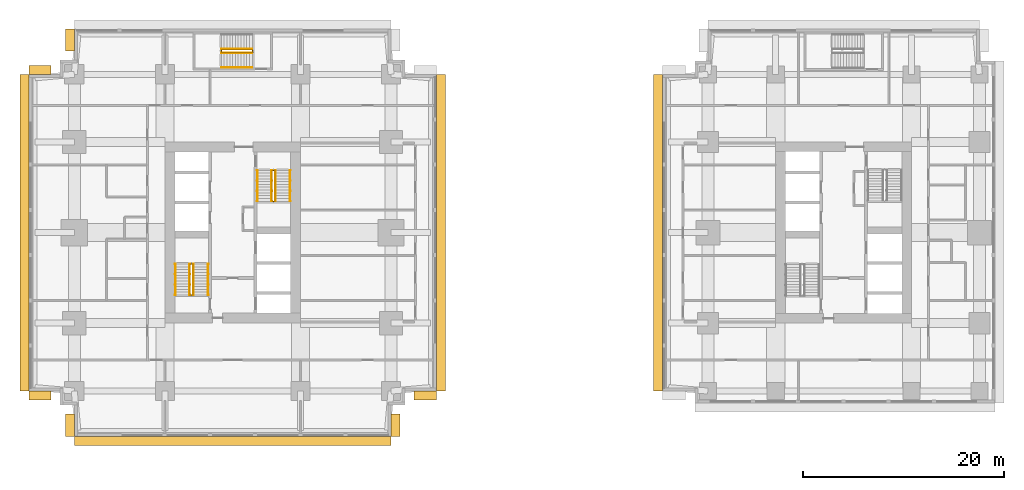
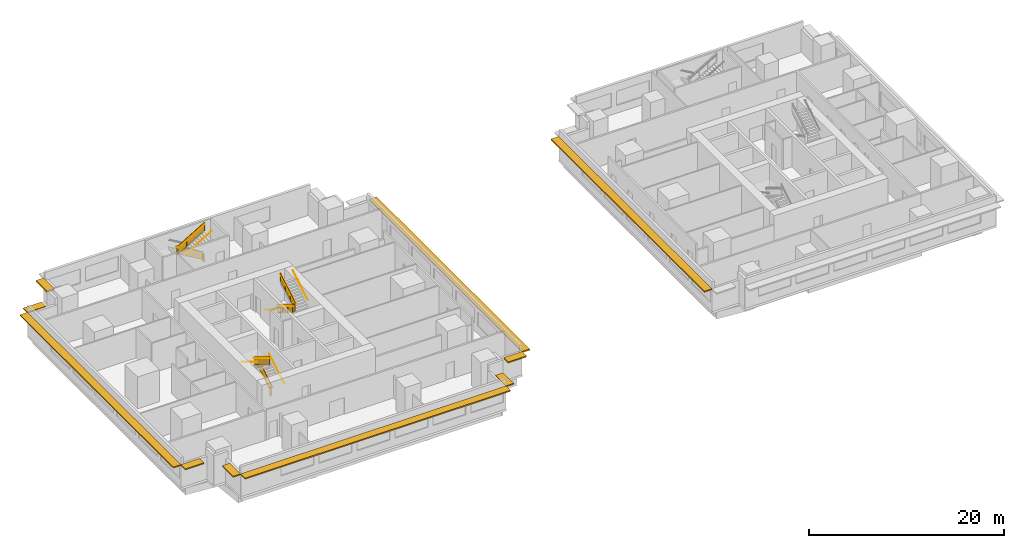
# One storey, part 9 of 11: 14 railings, 10 shading devices.
"""IFC4 building model written with IfcOpenShell, lengths in metres."""

import ifcopenshell
import ifcopenshell.guid

model = None  # the IFC model being written
_history = None  # IfcOwnerHistory: only IFC2X3 demands one
_inside = {}  # id of a spatial element -> (the spatial element, [elements in it])
_under = {}  # id of a project, library or spatial element -> (it, [spatial elements below it])
_declared = {}  # id of a project -> (the project, [libraries it declares])
_typed = {}  # id of a type object -> (the type object, [elements of that type])
_made_of = {}  # id of a material, layer set ... -> (it, [elements and type objects made of it])


def new_model(schema):
    """Start an empty IFC model of exactly this schema.

    Asked for "IFC4X3", IfcOpenShell would pick the latest addendum, in which some entities
    have other attributes; the version numbers below select the first issue.
    IFC2X3 requires an IfcOwnerHistory on every rooted entity: one is made here for all.
    """
    global model, _history
    if schema == "IFC4X3":
        model = ifcopenshell.file(schema_version=(4, 3, 0, 0))
    else:
        model = ifcopenshell.file(schema=schema)
    _inside.clear()
    _under.clear()
    _declared.clear()
    _typed.clear()
    _made_of.clear()
    _history = None
    if model.schema == "IFC2X3":
        org = make("IfcOrganization", Name="unknown")
        user = make(
            "IfcPersonAndOrganization",
            ThePerson=make("IfcPerson", FamilyName="unknown"),
            TheOrganization=org,
        )
        app = make(
            "IfcApplication",
            ApplicationDeveloper=org,
            Version="unknown",
            ApplicationFullName="unknown",
            ApplicationIdentifier="unknown",
        )
        _history = make(
            "IfcOwnerHistory",
            OwningUser=user,
            OwningApplication=app,
            ChangeAction="ADDED",
            CreationDate=0,
        )
    return model


def make(cls, **values):
    """One entity of the class cls with the attributes given. An attribute that is None is left unset."""
    return model.create_entity(
        cls, **{name: value for name, value in values.items() if value is not None}
    )


def rooted(cls, **values):
    """An entity with a GlobalId (a new one), such as an element, a storey or a relation."""
    return make(cls, GlobalId=ifcopenshell.guid.new(), OwnerHistory=_history, **values)


def si_unit(unit_type, name, prefix=None):
    """IfcSIUnit, for example si_unit("LENGTHUNIT", "METRE", prefix="MILLI")."""
    return make("IfcSIUnit", UnitType=unit_type, Prefix=prefix, Name=name)


def assignment(units):
    """IfcUnitAssignment: the units of a project."""
    return None if units is None else make("IfcUnitAssignment", Units=units)


def point(xyz):
    """IfcCartesianPoint."""
    return None if xyz is None else make("IfcCartesianPoint", Coordinates=xyz)


def direction(xyz):
    """IfcDirection."""
    return None if xyz is None else make("IfcDirection", DirectionRatios=xyz)


def frame(location, z_axis=None, x_axis=None):
    """IfcAxis2Placement3D, a coordinate frame: its origin and axes. An axis left out is left unset."""
    return make(
        "IfcAxis2Placement3D",
        Location=point(location),
        Axis=direction(z_axis),
        RefDirection=direction(x_axis),
    )


def frame_2d(location, x_axis=None):
    """IfcAxis2Placement2D, a coordinate frame in the plane: its origin and x axis."""
    return make(
        "IfcAxis2Placement2D", Location=point(location), RefDirection=direction(x_axis)
    )


def origin():
    """The frame at (0, 0, 0) with its axes left unset."""
    return frame((0.0, 0.0, 0.0))


def origin_2d():
    """The frame at (0, 0) in the plane with its x axis left unset."""
    return frame_2d((0.0, 0.0))


def place(relative_to, where):
    """IfcLocalPlacement: puts the frame where relative to a parent placement (None: the world)."""
    return make(
        "IfcLocalPlacement", PlacementRelTo=relative_to, RelativePlacement=where
    )


def context(
    kind, dimensions, precision=None, world=None, true_north=None, identifier=None
):
    """IfcGeometricRepresentationContext, for example the 3D "Model" context."""
    return make(
        "IfcGeometricRepresentationContext",
        ContextIdentifier=identifier,
        ContextType=kind,
        CoordinateSpaceDimension=dimensions,
        Precision=precision,
        WorldCoordinateSystem=world,
        TrueNorth=true_north,
    )


def subcontext(parent, identifier, kind, view, scale=None):
    """IfcGeometricRepresentationSubContext, for example "Body" below "Model"."""
    return make(
        "IfcGeometricRepresentationSubContext",
        ContextIdentifier=identifier,
        ContextType=kind,
        ParentContext=parent,
        TargetScale=scale,
        TargetView=view,
    )


def project(units=None, contexts=None):
    """IfcProject with its units and contexts."""
    return rooted(
        "IfcProject",
        Name="project",
        RepresentationContexts=contexts,
        UnitsInContext=assignment(units),
    )


def spatial(cls, under=None, at=None, **own):
    """A site, building, storey or space (cls), placed at a placement, below another one or the project."""
    s = rooted(cls, ObjectPlacement=at, **own)
    if under is not None:
        _under.setdefault(under.id(), (under, []))[1].append(s)
    return s


def polyline(points):
    """IfcPolyline through the points."""
    return make("IfcPolyline", Points=[point(p) for p in points])


def profile(cls, at=None, kind="AREA", **sizes):
    """A parametric profile (cls). Its sizes go by their IFC names, for example OverallWidth=200.0."""
    return make(cls, ProfileType=kind, Position=at, **sizes)


def rectangle(**sizes):
    """IfcRectangleProfileDef."""
    return profile("IfcRectangleProfileDef", **sizes)


def circle(**sizes):
    """IfcCircleProfileDef."""
    return profile("IfcCircleProfileDef", **sizes)


def outline(outer, holes=None, kind="AREA"):
    """IfcArbitraryClosedProfileDef: a profile drawn as a closed curve; with holes, ...WithVoids."""
    if holes is None:
        return make("IfcArbitraryClosedProfileDef", ProfileType=kind, OuterCurve=outer)
    return make(
        "IfcArbitraryProfileDefWithVoids",
        ProfileType=kind,
        OuterCurve=outer,
        InnerCurves=holes,
    )


def extrude(swept, where, along, depth):
    """IfcExtrudedAreaSolid: the profile swept, set in the frame where, extruded along a direction by depth."""
    return make(
        "IfcExtrudedAreaSolid",
        SweptArea=swept,
        Position=where,
        ExtrudedDirection=direction(along),
        Depth=depth,
    )


def shape(context_of_items, identifier, shape_type, items):
    """IfcShapeRepresentation: the items that make up one representation, for example the "Body"."""
    return make(
        "IfcShapeRepresentation",
        ContextOfItems=context_of_items,
        RepresentationIdentifier=identifier,
        RepresentationType=shape_type,
        Items=items,
    )


def material(Name=None, Category=None):
    """IfcMaterial."""
    return make("IfcMaterial", Name=Name, Category=Category)


def layer(
    of_material, thickness, ventilated=None, Name=None, Category=None, Priority=None
):
    """IfcMaterialLayer: one layer of a wall or slab, of a material (None: an air gap)."""
    return make(
        "IfcMaterialLayer",
        Material=of_material,
        LayerThickness=thickness,
        IsVentilated=ventilated,
        Name=Name,
        Category=Category,
        Priority=Priority,
    )


def layer_set(layers, Name=None):
    """IfcMaterialLayerSet."""
    return make("IfcMaterialLayerSet", MaterialLayers=layers, LayerSetName=Name)


def made_of(thing, what):
    """Note that an element or type object is made of a material, layer set ...; save() writes the relation."""
    if what is not None:
        _made_of.setdefault(what.id(), (what, []))[1].append(thing)
    return thing


def type_object(cls, material=None, **own):
    """A type object (cls), such as IfcWallType, which elements share."""
    return made_of(rooted(cls, **own), material)


def element(
    cls,
    number,
    at=None,
    inside=None,
    cuts=None,
    type_object=None,
    material=None,
    context=None,
    identifier="Body",
    shape_type=None,
    held_by="IfcProductDefinitionShape",
    body=None,
    shapes=None,
    **own,
):
    """One element of the class cls, such as IfcWall. Its Tag is "e" and its number.

    at: its placement. inside: the storey or other place that contains it. cuts: it is an
    opening in that element (IfcRelVoidsElement). A single representation is given by context,
    identifier, shape_type and body (its items); several are given by shapes. held_by: the class
    of the entity that holds the representations. save() writes the other relations.
    """
    e = rooted(cls, Tag="e%d" % number, ObjectPlacement=at, **own)
    if body is not None:
        shapes = [shape(context, identifier, shape_type, body)]
    if shapes is not None:
        e.Representation = make(held_by, Representations=shapes)
    if inside is not None:
        _inside.setdefault(inside.id(), (inside, []))[1].append(e)
    if cuts is not None:
        rooted(
            "IfcRelVoidsElement", RelatingBuildingElement=cuts, RelatedOpeningElement=e
        )
    if type_object is not None:
        _typed.setdefault(type_object.id(), (type_object, []))[1].append(e)
    return made_of(e, material)


def aggregate(whole, parts):
    """IfcRelAggregates: a whole, such as a stair, and the parts it consists of."""
    return rooted("IfcRelAggregates", RelatingObject=whole, RelatedObjects=parts)


def save(model, path):
    """Write the relations noted so far, then the file.

    IfcRelAggregates (storeys below a building ...), IfcRelContainedInSpatialStructure (elements
    in a storey), IfcRelDefinesByType, IfcRelAssociatesMaterial and IfcRelDeclares: one each for
    every whole, place, type object, material and project.
    """
    for whole, parts in _under.values():
        aggregate(whole, parts)
    for where, things in _inside.values():
        rooted(
            "IfcRelContainedInSpatialStructure",
            RelatedElements=things,
            RelatingStructure=where,
        )
    for kind, things in _typed.values():
        rooted("IfcRelDefinesByType", RelatedObjects=things, RelatingType=kind)
    for what, things in _made_of.values():
        rooted("IfcRelAssociatesMaterial", RelatedObjects=things, RelatingMaterial=what)
    for by, libraries in _declared.values():
        rooted("IfcRelDeclares", RelatingContext=by, RelatedDefinitions=libraries)
    model.write(path)


model = new_model("IFC4")

# Units and contexts
model_context = context("Model", 3, precision=1e-05, world=origin(), true_north=direction((0.0, 1.0)))
body_context = subcontext(model_context, "Body", "Model", "MODEL_VIEW")
ifc_project = project(units=[si_unit("LENGTHUNIT", "METRE"), si_unit("AREAUNIT", "SQUARE_METRE"), si_unit("VOLUMEUNIT", "CUBIC_METRE"), si_unit("PLANEANGLEUNIT", "RADIAN"), si_unit("MASSUNIT", "GRAM", prefix="KILO")], contexts=[model_context])

# Site, building, storey
site_placement = place(None, origin())
site = spatial("IfcSite", under=ifc_project, at=site_placement, CompositionType="ELEMENT")
building_placement = place(site_placement, origin())
building = spatial("IfcBuilding", under=site, at=building_placement, Name="Namib Vertical Campus", CompositionType="ELEMENT")
storey_placement = place(building_placement, frame((0.0, 0.0, 93.0)))
storey = spatial("IfcBuildingStorey", under=building, at=storey_placement, Name="L21", CompositionType="ELEMENT", Elevation=93.0)

# Railings
ifc_material_1 = material(Name="Steel handrail", Category="steel")
railing_type_1 = type_object("IfcRailingType", Name="Handrail 900", PredefinedType="HANDRAIL", material=ifc_material_1)
railing_1_placement = place(storey_placement, frame((17.800048828125, 14.050048828125, 0.166748046875)))
element("IfcRailing", 1, at=railing_1_placement, inside=storey, type_object=railing_type_1, Name="Handrail HR1 A-S1 L21 1", PredefinedType="HANDRAIL", context=body_context, shape_type="SweptSolid", body=[
    extrude(circle(Radius=0.02392578125, at=origin_2d()), frame((0.0, 0.0, 0.8759765625), z_axis=(0.0, 0.859290745958, 0.51148745235), x_axis=(-1.0, 0.0, 0.0)), (0.0, 0.0, 1.0), 3.584228515625),
    extrude(circle(Radius=0.008056640625, at=origin_2d()), frame((0.0, 0.0, 0.8759765625), z_axis=(1.0, 0.0, 0.0), x_axis=(0.0, 0.0, 1.0)), (0.0, 0.0, 1.0), 0.050048828125),
    extrude(circle(Radius=0.008056640625, at=origin_2d()), frame((0.0, 1.026611328125, 1.48681640625), z_axis=(1.0, 0.0, 0.0), x_axis=(0.0, 0.0, 1.0)), (0.0, 0.0, 1.0), 0.050048828125),
    extrude(circle(Radius=0.008056640625, at=origin_2d()), frame((0.0, 2.05322265625, 2.09814453125), z_axis=(1.0, 0.0, 0.0), x_axis=(0.0, 0.0, 1.0)), (0.0, 0.0, 1.0), 0.050048828125),
    extrude(circle(Radius=0.008056640625, at=origin_2d()), frame((0.0, 3.079833984375, 2.708984375), z_axis=(1.0, 0.0, 0.0), x_axis=(0.0, 0.0, 1.0)), (0.0, 0.0, 1.0), 0.050048828125),
])
railing_2_placement = place(storey_placement, frame((14.550048828125, 17.1298828125, 2.166748046875)))
element("IfcRailing", 2, at=railing_2_placement, inside=storey, type_object=railing_type_1, Name="Handrail HR1 A-S1 L21 2", PredefinedType="HANDRAIL", context=body_context, shape_type="SweptSolid", body=[
    extrude(circle(Radius=0.02392578125, at=origin_2d()), frame((0.0, 0.0, 0.8759765625), z_axis=(0.0, -0.859290745958, 0.51148745235), x_axis=(1.0, 0.0, 0.0)), (0.0, 0.0, 1.0), 3.584228515625),
    extrude(circle(Radius=0.008056640625, at=origin_2d()), frame((0.0, 0.0, 0.8759765625), z_axis=(-1.0, 0.0, 0.0), x_axis=(0.0, 0.0, 1.0)), (0.0, 0.0, 1.0), 0.050048828125),
    extrude(circle(Radius=0.008056640625, at=origin_2d()), frame((0.0, -1.026611328125, 1.48681640625), z_axis=(-1.0, 0.0, 0.0), x_axis=(0.0, 0.0, 1.0)), (0.0, 0.0, 1.0), 0.050048828125),
    extrude(circle(Radius=0.008056640625, at=origin_2d()), frame((0.0, -2.05322265625, 2.09814453125), z_axis=(-1.0, 0.0, 0.0), x_axis=(0.0, 0.0, 1.0)), (0.0, 0.0, 1.0), 0.050048828125),
    extrude(circle(Radius=0.008056640625, at=origin_2d()), frame((0.0, -3.079833984375, 2.708984375), z_axis=(-1.0, 0.0, 0.0), x_axis=(0.0, 0.0, 1.0)), (0.0, 0.0, 1.0), 0.050048828125),
])
railing_3_placement = place(storey_placement, frame((16.375, 14.050048828125, 0.166748046875)))
element("IfcRailing", 3, at=railing_3_placement, inside=storey, type_object=railing_type_1, Name="Handrail HR1 A-S1 L21 1 at the well", PredefinedType="HANDRAIL", context=body_context, shape_type="SweptSolid", body=[
    extrude(circle(Radius=0.02392578125, at=origin_2d()), frame((0.0, 0.0, 0.8759765625), z_axis=(0.0, 0.859290745958, 0.51148745235), x_axis=(-1.0, 0.0, 0.0)), (0.0, 0.0, 1.0), 3.584228515625),
    extrude(circle(Radius=0.008056640625, at=origin_2d()), frame((0.0, 0.0, 0.8759765625), z_axis=(-1.0, 0.0, 0.0), x_axis=(0.0, 0.0, 1.0)), (0.0, 0.0, 1.0), 0.0400390625),
    extrude(circle(Radius=0.008056640625, at=origin_2d()), frame((0.0, 1.026611328125, 1.48681640625), z_axis=(-1.0, 0.0, 0.0), x_axis=(0.0, 0.0, 1.0)), (0.0, 0.0, 1.0), 0.0400390625),
    extrude(circle(Radius=0.008056640625, at=origin_2d()), frame((0.0, 2.05322265625, 2.09814453125), z_axis=(-1.0, 0.0, 0.0), x_axis=(0.0, 0.0, 1.0)), (0.0, 0.0, 1.0), 0.0400390625),
    extrude(circle(Radius=0.008056640625, at=origin_2d()), frame((0.0, 3.079833984375, 2.708984375), z_axis=(-1.0, 0.0, 0.0), x_axis=(0.0, 0.0, 1.0)), (0.0, 0.0, 1.0), 0.0400390625),
])
railing_4_placement = place(storey_placement, frame((15.97509765625, 17.1298828125, 2.166748046875)))
element("IfcRailing", 4, at=railing_4_placement, inside=storey, type_object=railing_type_1, Name="Handrail HR1 A-S1 L21 2 at the well", PredefinedType="HANDRAIL", context=body_context, shape_type="SweptSolid", body=[
    extrude(circle(Radius=0.02392578125, at=origin_2d()), frame((0.0, 0.0, 0.8759765625), z_axis=(0.0, -0.859290745958, 0.51148745235), x_axis=(1.0, 0.0, 0.0)), (0.0, 0.0, 1.0), 3.584228515625),
    extrude(circle(Radius=0.008056640625, at=origin_2d()), frame((0.0, 0.0, 0.8759765625), z_axis=(1.0, 0.0, 0.0), x_axis=(0.0, 0.0, 1.0)), (0.0, 0.0, 1.0), 0.0400390625),
    extrude(circle(Radius=0.008056640625, at=origin_2d()), frame((0.0, -1.026611328125, 1.48681640625), z_axis=(1.0, 0.0, 0.0), x_axis=(0.0, 0.0, 1.0)), (0.0, 0.0, 1.0), 0.0400390625),
    extrude(circle(Radius=0.008056640625, at=origin_2d()), frame((0.0, -2.05322265625, 2.09814453125), z_axis=(1.0, 0.0, 0.0), x_axis=(0.0, 0.0, 1.0)), (0.0, 0.0, 1.0), 0.0400390625),
    extrude(circle(Radius=0.008056640625, at=origin_2d()), frame((0.0, -3.079833984375, 2.708984375), z_axis=(1.0, 0.0, 0.0), x_axis=(0.0, 0.0, 1.0)), (0.0, 0.0, 1.0), 0.0400390625),
])
railing_5_placement = place(storey_placement, frame((22.699951171875, 26.449951171875, 0.166748046875)))
element("IfcRailing", 5, at=railing_5_placement, inside=storey, type_object=railing_type_1, Name="Handrail HR1 A-S2 L21 1", PredefinedType="HANDRAIL", context=body_context, shape_type="SweptSolid", body=[
    extrude(circle(Radius=0.02392578125, at=origin_2d()), frame((0.0, 0.0, 0.8759765625), z_axis=(0.0, -0.859290745958, 0.51148745235), x_axis=(1.0, 0.0, 0.0)), (0.0, 0.0, 1.0), 3.584228515625),
    extrude(circle(Radius=0.008056640625, at=origin_2d()), frame((0.0, 0.0, 0.8759765625), z_axis=(-1.0, 0.0, 0.0), x_axis=(0.0, 0.0, 1.0)), (0.0, 0.0, 1.0), 0.050048828125),
    extrude(circle(Radius=0.008056640625, at=origin_2d()), frame((0.0, -1.026611328125, 1.48681640625), z_axis=(-1.0, 0.0, 0.0), x_axis=(0.0, 0.0, 1.0)), (0.0, 0.0, 1.0), 0.050048828125),
    extrude(circle(Radius=0.008056640625, at=origin_2d()), frame((0.0, -2.05322265625, 2.09814453125), z_axis=(-1.0, 0.0, 0.0), x_axis=(0.0, 0.0, 1.0)), (0.0, 0.0, 1.0), 0.050048828125),
    extrude(circle(Radius=0.008056640625, at=origin_2d()), frame((0.0, -3.079833984375, 2.708984375), z_axis=(-1.0, 0.0, 0.0), x_axis=(0.0, 0.0, 1.0)), (0.0, 0.0, 1.0), 0.050048828125),
])
railing_6_placement = place(storey_placement, frame((25.949951171875, 23.3701171875, 2.166748046875)))
element("IfcRailing", 6, at=railing_6_placement, inside=storey, type_object=railing_type_1, Name="Handrail HR1 A-S2 L21 2", PredefinedType="HANDRAIL", context=body_context, shape_type="SweptSolid", body=[
    extrude(circle(Radius=0.02392578125, at=origin_2d()), frame((0.0, 0.0, 0.8759765625), z_axis=(0.0, 0.859290745958, 0.51148745235), x_axis=(-1.0, 0.0, 0.0)), (0.0, 0.0, 1.0), 3.584228515625),
    extrude(circle(Radius=0.008056640625, at=origin_2d()), frame((0.0, 0.0, 0.8759765625), z_axis=(1.0, 0.0, 0.0), x_axis=(0.0, 0.0, 1.0)), (0.0, 0.0, 1.0), 0.050048828125),
    extrude(circle(Radius=0.008056640625, at=origin_2d()), frame((0.0, 1.026611328125, 1.48681640625), z_axis=(1.0, 0.0, 0.0), x_axis=(0.0, 0.0, 1.0)), (0.0, 0.0, 1.0), 0.050048828125),
    extrude(circle(Radius=0.008056640625, at=origin_2d()), frame((0.0, 2.05322265625, 2.09814453125), z_axis=(1.0, 0.0, 0.0), x_axis=(0.0, 0.0, 1.0)), (0.0, 0.0, 1.0), 0.050048828125),
    extrude(circle(Radius=0.008056640625, at=origin_2d()), frame((0.0, 3.079833984375, 2.708984375), z_axis=(1.0, 0.0, 0.0), x_axis=(0.0, 0.0, 1.0)), (0.0, 0.0, 1.0), 0.050048828125),
])
railing_7_placement = place(storey_placement, frame((24.125, 26.449951171875, 0.166748046875)))
element("IfcRailing", 7, at=railing_7_placement, inside=storey, type_object=railing_type_1, Name="Handrail HR1 A-S2 L21 1 at the well", PredefinedType="HANDRAIL", context=body_context, shape_type="SweptSolid", body=[
    extrude(circle(Radius=0.02392578125, at=origin_2d()), frame((0.0, 0.0, 0.8759765625), z_axis=(0.0, -0.859290745958, 0.51148745235), x_axis=(1.0, 0.0, 0.0)), (0.0, 0.0, 1.0), 3.584228515625),
    extrude(circle(Radius=0.008056640625, at=origin_2d()), frame((0.0, 0.0, 0.8759765625), z_axis=(1.0, 0.0, 0.0), x_axis=(0.0, 0.0, 1.0)), (0.0, 0.0, 1.0), 0.0400390625),
    extrude(circle(Radius=0.008056640625, at=origin_2d()), frame((0.0, -1.026611328125, 1.48681640625), z_axis=(1.0, 0.0, 0.0), x_axis=(0.0, 0.0, 1.0)), (0.0, 0.0, 1.0), 0.0400390625),
    extrude(circle(Radius=0.008056640625, at=origin_2d()), frame((0.0, -2.05322265625, 2.09814453125), z_axis=(1.0, 0.0, 0.0), x_axis=(0.0, 0.0, 1.0)), (0.0, 0.0, 1.0), 0.0400390625),
    extrude(circle(Radius=0.008056640625, at=origin_2d()), frame((0.0, -3.079833984375, 2.708984375), z_axis=(1.0, 0.0, 0.0), x_axis=(0.0, 0.0, 1.0)), (0.0, 0.0, 1.0), 0.0400390625),
])
railing_8_placement = place(storey_placement, frame((24.52490234375, 23.3701171875, 2.166748046875)))
element("IfcRailing", 8, at=railing_8_placement, inside=storey, type_object=railing_type_1, Name="Handrail HR1 A-S2 L21 2 at the well", PredefinedType="HANDRAIL", context=body_context, shape_type="SweptSolid", body=[
    extrude(circle(Radius=0.02392578125, at=origin_2d()), frame((0.0, 0.0, 0.8759765625), z_axis=(0.0, 0.859290745958, 0.51148745235), x_axis=(-1.0, 0.0, 0.0)), (0.0, 0.0, 1.0), 3.584228515625),
    extrude(circle(Radius=0.008056640625, at=origin_2d()), frame((0.0, 0.0, 0.8759765625), z_axis=(-1.0, 0.0, 0.0), x_axis=(0.0, 0.0, 1.0)), (0.0, 0.0, 1.0), 0.0400390625),
    extrude(circle(Radius=0.008056640625, at=origin_2d()), frame((0.0, 1.026611328125, 1.48681640625), z_axis=(-1.0, 0.0, 0.0), x_axis=(0.0, 0.0, 1.0)), (0.0, 0.0, 1.0), 0.0400390625),
    extrude(circle(Radius=0.008056640625, at=origin_2d()), frame((0.0, 2.05322265625, 2.09814453125), z_axis=(-1.0, 0.0, 0.0), x_axis=(0.0, 0.0, 1.0)), (0.0, 0.0, 1.0), 0.0400390625),
    extrude(circle(Radius=0.008056640625, at=origin_2d()), frame((0.0, 3.079833984375, 2.708984375), z_axis=(-1.0, 0.0, 0.0), x_axis=(0.0, 0.0, 1.0)), (0.0, 0.0, 1.0), 0.0400390625),
])
railing_9_placement = place(storey_placement, frame((19.1201171875, 36.699951171875, 2.166748046875)))
element("IfcRailing", 9, at=railing_9_placement, inside=storey, type_object=railing_type_1, Name="Handrail HR1 A-S3 L21 2", PredefinedType="HANDRAIL", context=body_context, shape_type="SweptSolid", body=[
    extrude(circle(Radius=0.02392578125, at=origin_2d()), frame((0.0, 0.0, 0.8759765625), z_axis=(0.859290745958, 0.0, 0.51148745235), x_axis=(0.0, 1.0, 0.0)), (0.0, 0.0, 1.0), 3.584228515625),
    extrude(circle(Radius=0.008056640625, at=origin_2d()), frame((0.0, 0.0, 0.8759765625), z_axis=(0.0, -1.0, 0.0), x_axis=(0.0, 0.0, 1.0)), (0.0, 0.0, 1.0), 0.050048828125),
    extrude(circle(Radius=0.008056640625, at=origin_2d()), frame((1.026611328125, 0.0, 1.48681640625), z_axis=(0.0, -1.0, 0.0), x_axis=(0.0, 0.0, 1.0)), (0.0, 0.0, 1.0), 0.050048828125),
    extrude(circle(Radius=0.008056640625, at=origin_2d()), frame((2.05322265625, 0.0, 2.09814453125), z_axis=(0.0, -1.0, 0.0), x_axis=(0.0, 0.0, 1.0)), (0.0, 0.0, 1.0), 0.050048828125),
    extrude(circle(Radius=0.008056640625, at=origin_2d()), frame((3.079833984375, 0.0, 2.708984375), z_axis=(0.0, -1.0, 0.0), x_axis=(0.0, 0.0, 1.0)), (0.0, 0.0, 1.0), 0.050048828125),
])
railing_10_placement = place(storey_placement, frame((22.199951171875, 38.52490234375, 0.166748046875)))
element("IfcRailing", 10, at=railing_10_placement, inside=storey, type_object=railing_type_1, Name="Handrail HR1 A-S3 L21 1 at the well", PredefinedType="HANDRAIL", context=body_context, shape_type="SweptSolid", body=[
    extrude(circle(Radius=0.02392578125, at=origin_2d()), frame((0.0, 0.0, 0.8759765625), z_axis=(-0.859290745958, 0.0, 0.51148745235), x_axis=(0.0, -1.0, 0.0)), (0.0, 0.0, 1.0), 3.584228515625),
    extrude(circle(Radius=0.008056640625, at=origin_2d()), frame((0.0, 0.0, 0.8759765625), z_axis=(0.0, -1.0, 0.0), x_axis=(0.0, 0.0, 1.0)), (0.0, 0.0, 1.0), 0.0400390625),
    extrude(circle(Radius=0.008056640625, at=origin_2d()), frame((-1.026611328125, 0.0, 1.48681640625), z_axis=(0.0, -1.0, 0.0), x_axis=(0.0, 0.0, 1.0)), (0.0, 0.0, 1.0), 0.0400390625),
    extrude(circle(Radius=0.008056640625, at=origin_2d()), frame((-2.05322265625, 0.0, 2.09814453125), z_axis=(0.0, -1.0, 0.0), x_axis=(0.0, 0.0, 1.0)), (0.0, 0.0, 1.0), 0.0400390625),
    extrude(circle(Radius=0.008056640625, at=origin_2d()), frame((-3.079833984375, 0.0, 2.708984375), z_axis=(0.0, -1.0, 0.0), x_axis=(0.0, 0.0, 1.0)), (0.0, 0.0, 1.0), 0.0400390625),
])
railing_11_placement = place(storey_placement, frame((19.1201171875, 38.125, 2.166748046875)))
element("IfcRailing", 11, at=railing_11_placement, inside=storey, type_object=railing_type_1, Name="Handrail HR1 A-S3 L21 2 at the well", PredefinedType="HANDRAIL", context=body_context, shape_type="SweptSolid", body=[
    extrude(circle(Radius=0.02392578125, at=origin_2d()), frame((0.0, 0.0, 0.8759765625), z_axis=(0.859290745958, 0.0, 0.51148745235), x_axis=(0.0, 1.0, 0.0)), (0.0, 0.0, 1.0), 3.584228515625),
    extrude(circle(Radius=0.008056640625, at=origin_2d()), frame((0.0, 0.0, 0.8759765625), z_axis=(0.0, 1.0, 0.0), x_axis=(0.0, 0.0, 1.0)), (0.0, 0.0, 1.0), 0.0400390625),
    extrude(circle(Radius=0.008056640625, at=origin_2d()), frame((1.026611328125, 0.0, 1.48681640625), z_axis=(0.0, 1.0, 0.0), x_axis=(0.0, 0.0, 1.0)), (0.0, 0.0, 1.0), 0.0400390625),
    extrude(circle(Radius=0.008056640625, at=origin_2d()), frame((2.05322265625, 0.0, 2.09814453125), z_axis=(0.0, 1.0, 0.0), x_axis=(0.0, 0.0, 1.0)), (0.0, 0.0, 1.0), 0.0400390625),
    extrude(circle(Radius=0.008056640625, at=origin_2d()), frame((3.079833984375, 0.0, 2.708984375), z_axis=(0.0, 1.0, 0.0), x_axis=(0.0, 0.0, 1.0)), (0.0, 0.0, 1.0), 0.0400390625),
])
ifc_material_2 = material(Name="Steel balustrade", Category="steel")
railing_type_2 = type_object("IfcRailingType", Name="Stair guard 1100", PredefinedType="GUARDRAIL", material=ifc_material_2)
railing_12_placement = place(storey_placement, frame((16.02490234375, 14.050048828125, 0.0)))
element("IfcRailing", 12, at=railing_12_placement, inside=storey, type_object=railing_type_2, Name="Stair guard GR1 A-S1 L21", PredefinedType="GUARDRAIL", context=body_context, shape_type="SweptSolid", body=[
    extrude(circle(Radius=0.02392578125, at=origin_2d()), frame((0.0, 0.0, 1.076171875), z_axis=(1.0, 0.0, 0.0), x_axis=(0.0, 1.0, 0.0)), (0.0, 0.0, 1.0), 0.300048828125),
    extrude(outline(polyline([(0.02099609375, 0.050048828125), (0.279052734375, 0.050048828125), (0.279052734375, 1.052001953125), (0.02099609375, 1.052001953125), (0.02099609375, 0.050048828125)])), frame((0.0, 0.010009765625, 0.0), z_axis=(0.0, -1.0, 0.0), x_axis=(1.0, 0.0, 0.0)), (0.0, 0.0, 1.0), 0.02001953125),
    extrude(circle(Radius=0.02392578125, at=origin_2d()), frame((0.300048828125, 0.0, 1.076171875), z_axis=(0.0, 0.0, 1.0), x_axis=(1.0, 0.0, 0.0)), (0.0, 0.0, 1.0), 0.166748046875),
    extrude(circle(Radius=0.02392578125, at=origin_2d()), frame((0.300048828125, 0.0, 1.24267578125), z_axis=(0.0, 0.859290745958, 0.51148745235), x_axis=(-1.0, 0.0, 0.0)), (0.0, 0.0, 1.0), 3.584228515625),
    extrude(outline(polyline([(0.02099609375, 0.0625), (3.058837890625, 1.870849609375), (3.058837890625, 2.872802734375), (0.02099609375, 1.064453125), (0.02099609375, 0.0625)])), frame((0.2900390625, 0.0, 0.166748046875), z_axis=(1.0, 0.0, 0.0), x_axis=(0.0, 1.0, 0.0)), (0.0, 0.0, 1.0), 0.02001953125),
    extrude(circle(Radius=0.02392578125, at=origin_2d()), frame((0.300048828125, 3.079833984375, 3.076171875), z_axis=(-1.0, 0.0, 0.0), x_axis=(0.0, -1.0, 0.0)), (0.0, 0.0, 1.0), 0.300048828125),
    extrude(outline(polyline([(0.02099609375, 0.050048828125), (0.279052734375, 0.050048828125), (0.279052734375, 1.052001953125), (0.02099609375, 1.052001953125), (0.02099609375, 0.050048828125)])), frame((0.300048828125, 3.06982421875, 2.0), z_axis=(0.0, 1.0, 0.0), x_axis=(-1.0, 0.0, 0.0)), (0.0, 0.0, 1.0), 0.02001953125),
    extrude(circle(Radius=0.02392578125, at=origin_2d()), frame((0.0, 3.079833984375, 3.076171875), z_axis=(0.0, 0.0, 1.0), x_axis=(1.0, 0.0, 0.0)), (0.0, 0.0, 1.0), 0.166748046875),
    extrude(circle(Radius=0.02392578125, at=origin_2d()), frame((0.0, 3.079833984375, 3.24267578125), z_axis=(0.0, -0.859290745958, 0.51148745235), x_axis=(1.0, 0.0, 0.0)), (0.0, 0.0, 1.0), 3.584228515625),
    extrude(outline(polyline([(0.02099609375, 0.0625), (3.058837890625, 1.870849609375), (3.058837890625, 2.872802734375), (0.02099609375, 1.064453125), (0.02099609375, 0.0625)])), frame((0.010009765625, 3.079833984375, 2.166748046875), z_axis=(-1.0, 0.0, 0.0), x_axis=(0.0, -1.0, 0.0)), (0.0, 0.0, 1.0), 0.02001953125),
    extrude(circle(Radius=0.02392578125, at=origin_2d()), frame((0.0, 0.0, 5.076171875), z_axis=(0.0, -1.0, 0.0), x_axis=(1.0, 0.0, 0.0)), (0.0, 0.0, 1.0), 0.050048828125),
    extrude(outline(polyline([(0.02099609375, 0.050048828125), (0.029052734375, 0.050048828125), (0.029052734375, 1.052001953125), (0.02099609375, 1.052001953125), (0.02099609375, 0.050048828125)])), frame((0.010009765625, 0.0, 4.0), z_axis=(-1.0, 0.0, 0.0), x_axis=(0.0, -1.0, 0.0)), (0.0, 0.0, 1.0), 0.02001953125),
    extrude(circle(Radius=0.02099609375, at=origin_2d()), origin(), (0.0, 0.0, 1.0), 1.052001953125),
    extrude(circle(Radius=0.02099609375, at=origin_2d()), frame((0.300048828125, 0.0, 0.166748046875)), (0.0, 0.0, 1.0), 1.052001953125),
    extrude(circle(Radius=0.02099609375, at=origin_2d()), frame((0.300048828125, 1.026611328125, 0.666748046875)), (0.0, 0.0, 1.0), 1.1630859375),
    extrude(circle(Radius=0.02099609375, at=origin_2d()), frame((0.300048828125, 2.05322265625, 1.33349609375)), (0.0, 0.0, 1.0), 1.107421875),
    extrude(circle(Radius=0.02099609375, at=origin_2d()), frame((0.300048828125, 3.079833984375, 2.0)), (0.0, 0.0, 1.0), 1.052001953125),
    extrude(circle(Radius=0.02099609375, at=origin_2d()), frame((0.0, 3.079833984375, 2.166748046875)), (0.0, 0.0, 1.0), 1.052001953125),
    extrude(circle(Radius=0.02099609375, at=origin_2d()), frame((0.0, 2.05322265625, 2.666748046875)), (0.0, 0.0, 1.0), 1.1630859375),
    extrude(circle(Radius=0.02099609375, at=origin_2d()), frame((0.0, 1.026611328125, 3.33349609375)), (0.0, 0.0, 1.0), 1.107421875),
    extrude(circle(Radius=0.02099609375, at=origin_2d()), frame((0.0, 0.0, 4.0)), (0.0, 0.0, 1.0), 1.052001953125),
    extrude(circle(Radius=0.02099609375, at=origin_2d()), frame((0.0, -0.050048828125, 4.0)), (0.0, 0.0, 1.0), 1.052001953125),
])
railing_13_placement = place(storey_placement, frame((24.47509765625, 26.449951171875, 0.0)))
element("IfcRailing", 13, at=railing_13_placement, inside=storey, type_object=railing_type_2, Name="Stair guard GR1 A-S2 L21", PredefinedType="GUARDRAIL", context=body_context, shape_type="SweptSolid", body=[
    extrude(circle(Radius=0.02392578125, at=origin_2d()), frame((0.0, 0.0, 1.076171875), z_axis=(-1.0, 0.0, 0.0), x_axis=(0.0, -1.0, 0.0)), (0.0, 0.0, 1.0), 0.300048828125),
    extrude(outline(polyline([(0.02099609375, 0.050048828125), (0.279052734375, 0.050048828125), (0.279052734375, 1.052001953125), (0.02099609375, 1.052001953125), (0.02099609375, 0.050048828125)])), frame((0.0, -0.010009765625, 0.0), z_axis=(0.0, 1.0, 0.0), x_axis=(-1.0, 0.0, 0.0)), (0.0, 0.0, 1.0), 0.02001953125),
    extrude(circle(Radius=0.02392578125, at=origin_2d()), frame((-0.300048828125, 0.0, 1.076171875), z_axis=(0.0, 0.0, 1.0), x_axis=(1.0, 0.0, 0.0)), (0.0, 0.0, 1.0), 0.166748046875),
    extrude(circle(Radius=0.02392578125, at=origin_2d()), frame((-0.300048828125, 0.0, 1.24267578125), z_axis=(0.0, -0.859290745958, 0.51148745235), x_axis=(1.0, 0.0, 0.0)), (0.0, 0.0, 1.0), 3.584228515625),
    extrude(outline(polyline([(0.02099609375, 0.0625), (3.058837890625, 1.870849609375), (3.058837890625, 2.872802734375), (0.02099609375, 1.064453125), (0.02099609375, 0.0625)])), frame((-0.2900390625, 0.0, 0.166748046875), z_axis=(-1.0, 0.0, 0.0), x_axis=(0.0, -1.0, 0.0)), (0.0, 0.0, 1.0), 0.02001953125),
    extrude(circle(Radius=0.02392578125, at=origin_2d()), frame((-0.300048828125, -3.079833984375, 3.076171875), z_axis=(1.0, 0.0, 0.0), x_axis=(0.0, 1.0, 0.0)), (0.0, 0.0, 1.0), 0.300048828125),
    extrude(outline(polyline([(0.02099609375, 0.050048828125), (0.279052734375, 0.050048828125), (0.279052734375, 1.052001953125), (0.02099609375, 1.052001953125), (0.02099609375, 0.050048828125)])), frame((-0.300048828125, -3.06982421875, 2.0), z_axis=(0.0, -1.0, 0.0), x_axis=(1.0, 0.0, 0.0)), (0.0, 0.0, 1.0), 0.02001953125),
    extrude(circle(Radius=0.02392578125, at=origin_2d()), frame((0.0, -3.079833984375, 3.076171875), z_axis=(0.0, 0.0, 1.0), x_axis=(1.0, 0.0, 0.0)), (0.0, 0.0, 1.0), 0.166748046875),
    extrude(circle(Radius=0.02392578125, at=origin_2d()), frame((0.0, -3.079833984375, 3.24267578125), z_axis=(0.0, 0.859290745958, 0.51148745235), x_axis=(-1.0, 0.0, 0.0)), (0.0, 0.0, 1.0), 3.584228515625),
    extrude(outline(polyline([(0.02099609375, 0.0625), (3.058837890625, 1.870849609375), (3.058837890625, 2.872802734375), (0.02099609375, 1.064453125), (0.02099609375, 0.0625)])), frame((-0.010009765625, -3.079833984375, 2.166748046875), z_axis=(1.0, 0.0, 0.0), x_axis=(0.0, 1.0, 0.0)), (0.0, 0.0, 1.0), 0.02001953125),
    extrude(circle(Radius=0.02392578125, at=origin_2d()), frame((0.0, 0.0, 5.076171875), z_axis=(0.0, 1.0, 0.0), x_axis=(-1.0, 0.0, 0.0)), (0.0, 0.0, 1.0), 0.050048828125),
    extrude(outline(polyline([(0.02099609375, 0.050048828125), (0.029052734375, 0.050048828125), (0.029052734375, 1.052001953125), (0.02099609375, 1.052001953125), (0.02099609375, 0.050048828125)])), frame((-0.010009765625, 0.0, 4.0), z_axis=(1.0, 0.0, 0.0), x_axis=(0.0, 1.0, 0.0)), (0.0, 0.0, 1.0), 0.02001953125),
    extrude(circle(Radius=0.02099609375, at=origin_2d()), origin(), (0.0, 0.0, 1.0), 1.052001953125),
    extrude(circle(Radius=0.02099609375, at=origin_2d()), frame((-0.300048828125, 0.0, 0.166748046875)), (0.0, 0.0, 1.0), 1.052001953125),
    extrude(circle(Radius=0.02099609375, at=origin_2d()), frame((-0.300048828125, -1.026611328125, 0.666748046875)), (0.0, 0.0, 1.0), 1.1630859375),
    extrude(circle(Radius=0.02099609375, at=origin_2d()), frame((-0.300048828125, -2.05322265625, 1.33349609375)), (0.0, 0.0, 1.0), 1.107421875),
    extrude(circle(Radius=0.02099609375, at=origin_2d()), frame((-0.300048828125, -3.079833984375, 2.0)), (0.0, 0.0, 1.0), 1.052001953125),
    extrude(circle(Radius=0.02099609375, at=origin_2d()), frame((0.0, -3.079833984375, 2.166748046875)), (0.0, 0.0, 1.0), 1.052001953125),
    extrude(circle(Radius=0.02099609375, at=origin_2d()), frame((0.0, -2.05322265625, 2.666748046875)), (0.0, 0.0, 1.0), 1.1630859375),
    extrude(circle(Radius=0.02099609375, at=origin_2d()), frame((0.0, -1.026611328125, 3.33349609375)), (0.0, 0.0, 1.0), 1.107421875),
    extrude(circle(Radius=0.02099609375, at=origin_2d()), frame((0.0, 0.0, 4.0)), (0.0, 0.0, 1.0), 1.052001953125),
    extrude(circle(Radius=0.02099609375, at=origin_2d()), frame((0.0, 0.050048828125, 4.0)), (0.0, 0.0, 1.0), 1.052001953125),
])
railing_14_placement = place(storey_placement, frame((22.199951171875, 38.175048828125, 0.0)))
element("IfcRailing", 14, at=railing_14_placement, inside=storey, type_object=railing_type_2, Name="Stair guard GR1 A-S3 L21", PredefinedType="GUARDRAIL", context=body_context, shape_type="SweptSolid", body=[
    extrude(circle(Radius=0.02392578125, at=origin_2d()), frame((0.0, 0.0, 1.076171875), z_axis=(0.0, 1.0, 0.0), x_axis=(-1.0, 0.0, 0.0)), (0.0, 0.0, 1.0), 0.300048828125),
    extrude(outline(polyline([(0.02099609375, 0.050048828125), (0.279052734375, 0.050048828125), (0.279052734375, 1.052001953125), (0.02099609375, 1.052001953125), (0.02099609375, 0.050048828125)])), frame((-0.010009765625, 0.0, 0.0), z_axis=(1.0, 0.0, 0.0), x_axis=(0.0, 1.0, 0.0)), (0.0, 0.0, 1.0), 0.02001953125),
    extrude(circle(Radius=0.02392578125, at=origin_2d()), frame((0.0, 0.300048828125, 1.076171875), z_axis=(0.0, 0.0, 1.0), x_axis=(1.0, 0.0, 0.0)), (0.0, 0.0, 1.0), 0.166748046875),
    extrude(circle(Radius=0.02392578125, at=origin_2d()), frame((0.0, 0.300048828125, 1.24267578125), z_axis=(-0.859290745958, 0.0, 0.51148745235), x_axis=(0.0, -1.0, 0.0)), (0.0, 0.0, 1.0), 3.584228515625),
    extrude(outline(polyline([(0.02099609375, 0.0625), (3.058837890625, 1.870849609375), (3.058837890625, 2.872802734375), (0.02099609375, 1.064453125), (0.02099609375, 0.0625)])), frame((0.0, 0.2900390625, 0.166748046875), z_axis=(0.0, 1.0, 0.0), x_axis=(-1.0, 0.0, 0.0)), (0.0, 0.0, 1.0), 0.02001953125),
    extrude(circle(Radius=0.02392578125, at=origin_2d()), frame((-3.079833984375, 0.300048828125, 3.076171875), z_axis=(0.0, -1.0, 0.0), x_axis=(1.0, 0.0, 0.0)), (0.0, 0.0, 1.0), 0.300048828125),
    extrude(outline(polyline([(0.02099609375, 0.050048828125), (0.279052734375, 0.050048828125), (0.279052734375, 1.052001953125), (0.02099609375, 1.052001953125), (0.02099609375, 0.050048828125)])), frame((-3.06982421875, 0.300048828125, 2.0), z_axis=(-1.0, 0.0, 0.0), x_axis=(0.0, -1.0, 0.0)), (0.0, 0.0, 1.0), 0.02001953125),
    extrude(circle(Radius=0.02392578125, at=origin_2d()), frame((-3.079833984375, 0.0, 3.076171875), z_axis=(0.0, 0.0, 1.0), x_axis=(1.0, 0.0, 0.0)), (0.0, 0.0, 1.0), 0.166748046875),
    extrude(circle(Radius=0.02392578125, at=origin_2d()), frame((-3.079833984375, 0.0, 3.24267578125), z_axis=(0.859290745958, 0.0, 0.51148745235), x_axis=(0.0, 1.0, 0.0)), (0.0, 0.0, 1.0), 3.584228515625),
    extrude(outline(polyline([(0.02099609375, 0.0625), (3.058837890625, 1.870849609375), (3.058837890625, 2.872802734375), (0.02099609375, 1.064453125), (0.02099609375, 0.0625)])), frame((-3.079833984375, 0.010009765625, 2.166748046875), z_axis=(0.0, -1.0, 0.0), x_axis=(1.0, 0.0, 0.0)), (0.0, 0.0, 1.0), 0.02001953125),
    extrude(circle(Radius=0.02392578125, at=origin_2d()), frame((0.0, 0.0, 5.076171875), z_axis=(1.0, 0.0, 0.0), x_axis=(0.0, 1.0, 0.0)), (0.0, 0.0, 1.0), 0.050048828125),
    extrude(outline(polyline([(0.02099609375, 0.050048828125), (0.029052734375, 0.050048828125), (0.029052734375, 1.052001953125), (0.02099609375, 1.052001953125), (0.02099609375, 0.050048828125)])), frame((0.0, 0.010009765625, 4.0), z_axis=(0.0, -1.0, 0.0), x_axis=(1.0, 0.0, 0.0)), (0.0, 0.0, 1.0), 0.02001953125),
    extrude(circle(Radius=0.02099609375, at=origin_2d()), origin(), (0.0, 0.0, 1.0), 1.052001953125),
    extrude(circle(Radius=0.02099609375, at=origin_2d()), frame((0.0, 0.300048828125, 0.166748046875)), (0.0, 0.0, 1.0), 1.052001953125),
    extrude(circle(Radius=0.02099609375, at=origin_2d()), frame((-1.026611328125, 0.300048828125, 0.666748046875)), (0.0, 0.0, 1.0), 1.1630859375),
    extrude(circle(Radius=0.02099609375, at=origin_2d()), frame((-2.05322265625, 0.300048828125, 1.33349609375)), (0.0, 0.0, 1.0), 1.107421875),
    extrude(circle(Radius=0.02099609375, at=origin_2d()), frame((-3.079833984375, 0.300048828125, 2.0)), (0.0, 0.0, 1.0), 1.052001953125),
    extrude(circle(Radius=0.02099609375, at=origin_2d()), frame((-3.079833984375, 0.0, 2.166748046875)), (0.0, 0.0, 1.0), 1.052001953125),
    extrude(circle(Radius=0.02099609375, at=origin_2d()), frame((-2.05322265625, 0.0, 2.666748046875)), (0.0, 0.0, 1.0), 1.1630859375),
    extrude(circle(Radius=0.02099609375, at=origin_2d()), frame((-1.026611328125, 0.0, 3.33349609375)), (0.0, 0.0, 1.0), 1.107421875),
    extrude(circle(Radius=0.02099609375, at=origin_2d()), frame((0.0, 0.0, 4.0)), (0.0, 0.0, 1.0), 1.052001953125),
    extrude(circle(Radius=0.02099609375, at=origin_2d()), frame((0.050048828125, 0.0, 4.0)), (0.0, 0.0, 1.0), 1.052001953125),
])

# Shading devices
ifc_material_3 = material(Name="Concrete C40/50 precast", Category="concrete")
ifc_layer = layer(ifc_material_3, 0.14990234375)
ifc_layer_set = layer_set([ifc_layer], Name="Concrete C40/50 precast")
shading_device_type = type_object("IfcShadingDeviceType", Name="Sunshade hood 900", PredefinedType="SHUTTER", material=ifc_layer_set)
shading_device_1_placement = place(storey_placement, frame((20.25, -0.449951171875, 2.75), z_axis=(0.0, 0.0, 1.0), x_axis=(1.0, 0.0, 0.0)))
element("IfcShadingDevice", 15, at=shading_device_1_placement, inside=storey, type_object=shading_device_type, Name="Sunshade SH1 L21 1", PredefinedType="SHUTTER", context=body_context, shape_type="SweptSolid", body=[
    extrude(rectangle(XDim=31.5, YDim=0.89990234375, at=origin_2d()), origin(), (0.0, 0.0, 1.0), 0.14990234375),
])
for number, where, z_axis, x_axis, name in (
    (16, (36.449951171875, 1.10009765625, 2.75), (0.0, 0.0, 1.0), (0.0, 1.0, 0.0), "Sunshade SH1 L21 2"),
    (17, (39.39990234375, 4.050048828125, 2.75), (0.0, 0.0, 1.0), (1.0, 0.0, 0.0), "Sunshade SH1 L21 5"),
):
    element("IfcShadingDevice", number, at=place(storey_placement, frame(where, z_axis=z_axis, x_axis=x_axis)), inside=storey, type_object=shading_device_type, Name=name, PredefinedType="SHUTTER", context=body_context, shape_type="SweptSolid", body=[
        extrude(rectangle(XDim=2.199951171875, YDim=0.89990234375, at=origin_2d()), origin(), (0.0, 0.0, 1.0), 0.14990234375),
    ])
shading_device_2_placement = place(storey_placement, frame((40.949951171875, 20.25, 2.75), z_axis=(0.0, 0.0, 1.0), x_axis=(0.0, 1.0, 0.0)))
element("IfcShadingDevice", 18, at=shading_device_2_placement, inside=storey, type_object=shading_device_type, Name="Sunshade SH1 L21 6", PredefinedType="SHUTTER", context=body_context, shape_type="SweptSolid", body=[
    extrude(rectangle(XDim=31.5, YDim=0.89990234375, at=origin_2d()), origin(), (0.0, 0.0, 1.0), 0.14990234375),
])
for number, where, z_axis, x_axis, name in (
    (19, (4.050048828125, 39.39990234375, 2.75), (0.0, 0.0, 1.0), (0.0, -1.0, 0.0), "Sunshade SH1 L21 12"),
    (20, (1.10009765625, 36.449951171875, 2.75), (0.0, 0.0, 1.0), (-1.0, 0.0, 0.0), "Sunshade SH1 L21 15"),
):
    element("IfcShadingDevice", number, at=place(storey_placement, frame(where, z_axis=z_axis, x_axis=x_axis)), inside=storey, type_object=shading_device_type, Name=name, PredefinedType="SHUTTER", context=body_context, shape_type="SweptSolid", body=[
        extrude(rectangle(XDim=2.199951171875, YDim=0.89990234375, at=origin_2d()), origin(), (0.0, 0.0, 1.0), 0.14990234375),
    ])
shading_device_3_placement = place(storey_placement, frame((-0.449951171875, 20.25, 2.75), z_axis=(0.0, 0.0, 1.0), x_axis=(0.0, -1.0, 0.0)))
element("IfcShadingDevice", 21, at=shading_device_3_placement, inside=storey, type_object=shading_device_type, Name="Sunshade SH1 L21 16", PredefinedType="SHUTTER", context=body_context, shape_type="SweptSolid", body=[
    extrude(rectangle(XDim=31.5, YDim=0.89990234375, at=origin_2d()), origin(), (0.0, 0.0, 1.0), 0.14990234375),
])
for number, where, z_axis, x_axis, name in (
    (22, (1.10009765625, 4.050048828125, 2.75), (0.0, 0.0, 1.0), (1.0, 0.0, 0.0), "Sunshade SH1 L21 17"),
    (23, (4.050048828125, 1.10009765625, 2.75), (0.0, 0.0, 1.0), (0.0, -1.0, 0.0), "Sunshade SH1 L21 20"),
):
    element("IfcShadingDevice", number, at=place(storey_placement, frame(where, z_axis=z_axis, x_axis=x_axis)), inside=storey, type_object=shading_device_type, Name=name, PredefinedType="SHUTTER", context=body_context, shape_type="SweptSolid", body=[
        extrude(rectangle(XDim=2.199951171875, YDim=0.89990234375, at=origin_2d()), origin(), (0.0, 0.0, 1.0), 0.14990234375),
    ])
shading_device_4_placement = place(storey_placement, frame((62.550048828125, 20.25, 2.75), z_axis=(0.0, 0.0, 1.0), x_axis=(0.0, -1.0, 0.0)))
element("IfcShadingDevice", 24, at=shading_device_4_placement, inside=storey, type_object=shading_device_type, Name="Sunshade SH1 L21 12", PredefinedType="SHUTTER", context=body_context, shape_type="SweptSolid", body=[
    extrude(rectangle(XDim=31.5, YDim=0.89990234375, at=origin_2d()), origin(), (0.0, 0.0, 1.0), 0.14990234375),
])

save(model, "model.ifc")
